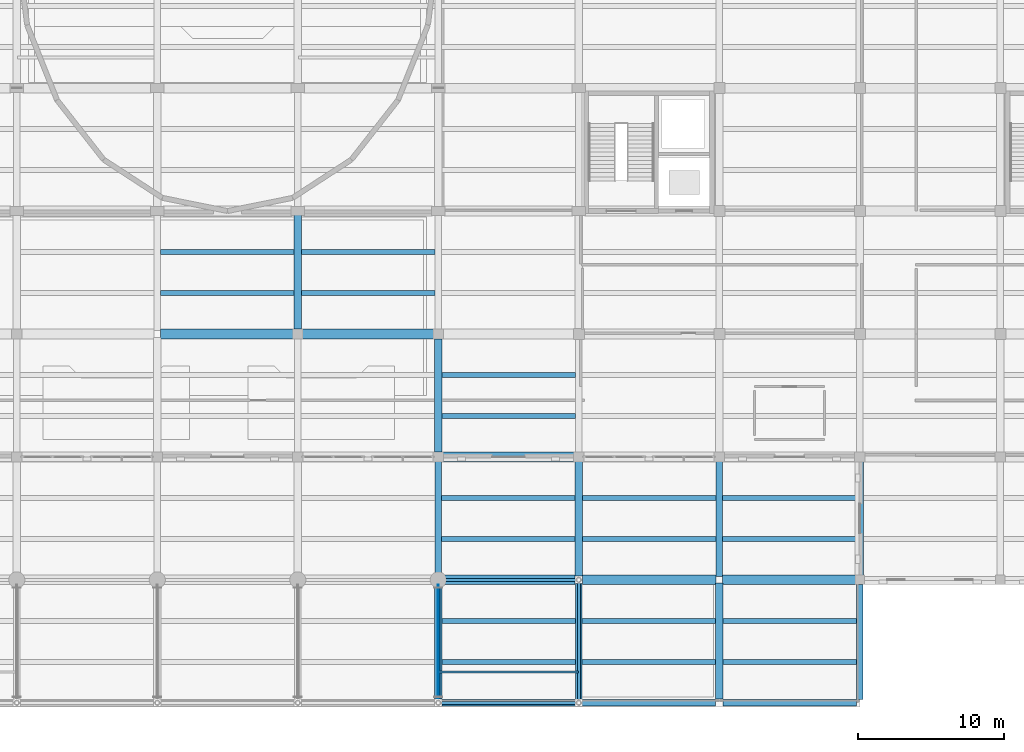
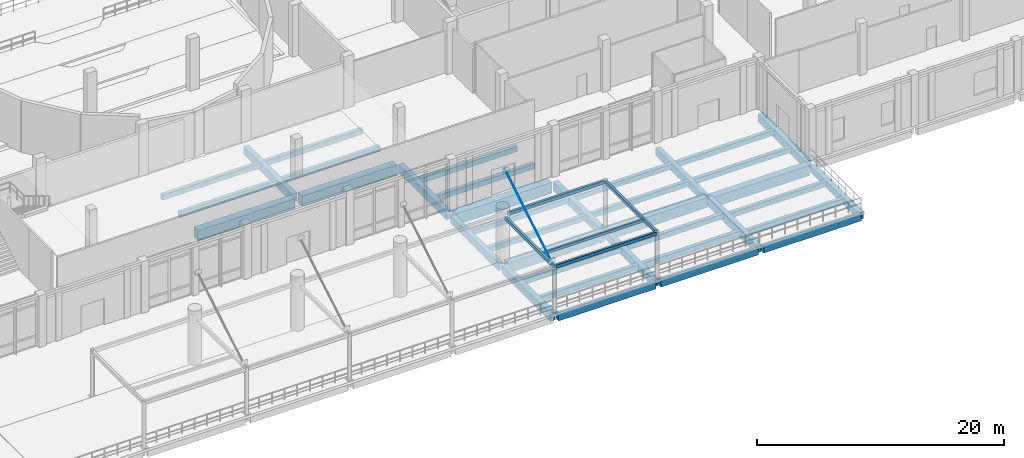
# One storey, part 25 of 71: 42 beams, 1 member.
"""IFC4 building model written with IfcOpenShell, lengths in metres."""

from ifc_helpers import new_model, si_unit, direction, frame, origin, origin_2d, place, context, subcontext, project, spatial, rectangle, hollow_rectangle, circle, extrude, material, material_profile, profile_set, type_object, element, save


model = new_model("IFC4")

# Units and contexts
model_context = context("Model", 3, precision=1e-05, world=origin(), true_north=direction((0.0, 1.0)))
body_context = subcontext(model_context, "Body", "Model", "MODEL_VIEW")
ifc_project = project(units=[si_unit("LENGTHUNIT", "METRE"), si_unit("AREAUNIT", "SQUARE_METRE"), si_unit("VOLUMEUNIT", "CUBIC_METRE"), si_unit("PLANEANGLEUNIT", "RADIAN"), si_unit("MASSUNIT", "GRAM", prefix="KILO")], contexts=[model_context])

# Site, building, storey
site_placement = place(None, origin())
site = spatial("IfcSite", under=ifc_project, at=site_placement, CompositionType="ELEMENT")
building_placement = place(site_placement, origin())
building = spatial("IfcBuilding", under=site, at=building_placement, Name="Lornevale Opera House", CompositionType="ELEMENT")
storey_placement = place(building_placement, origin())
storey = spatial("IfcBuildingStorey", under=building, at=storey_placement, Name="L01", CompositionType="ELEMENT", Elevation=0.0)

# Beams
ifc_material_1 = material(Name="Structural Steel CSA G40.21 Grade 350W (350 MPa)", Category="steel")
ifc_material_profile_1 = material_profile(ifc_material_1, hollow_rectangle(XDim=0.202880859375, YDim=0.304931640625, WallThickness=0.0126953125, at=origin_2d()), Name="HSS305x203x13")
ifc_profile_set_1 = profile_set([ifc_material_profile_1], Name="Structural Steel CSA G40.21 Grade 350W (350 MPa)")
beam_type_1 = type_object("IfcBeamType", Name="Canopy Edge Beam HSS305x203x13", PredefinedType="SPANDREL", material=ifc_profile_set_1)
beam_1_placement = place(storey_placement, frame((96.0, 0.10009765625, 4.43994140625), z_axis=(0.0, 1.0, 0.0), x_axis=(-1.0, 0.0, 0.0)))
element("IfcBeam", 1, at=beam_1_placement, inside=storey, type_object=beam_type_1, Name="Canopy Edge Beam HSS305x203x13 2951", PredefinedType="SPANDREL", context=body_context, shape_type="SweptSolid", body=[
    extrude(hollow_rectangle(XDim=0.202880859375, YDim=0.304931640625, WallThickness=0.0126953125, at=origin_2d()), origin(), (0.0, 0.0, 1.0), 7.849853515625),
])
beam_2_placement = place(storey_placement, frame((96.1201171875, 0.0, 4.43994140625), z_axis=(1.0, 0.0, 0.0), x_axis=(0.0, 1.0, 0.0)))
element("IfcBeam", 2, at=beam_2_placement, inside=storey, type_object=beam_type_1, Name="Canopy Edge Beam HSS305x203x13 2952", PredefinedType="SPANDREL", context=body_context, shape_type="SweptSolid", body=[
    extrude(hollow_rectangle(XDim=0.202880859375, YDim=0.304931640625, WallThickness=0.0126953125, at=origin_2d()), origin(), (0.0, 0.0, 1.0), 9.35986328125),
])
beam_3_placement = place(storey_placement, frame((96.449951171875, 8.39990234375, 4.43994140625), z_axis=(1.0, 0.0, 0.0), x_axis=(0.0, 1.0, 0.0)))
element("IfcBeam", 3, at=beam_3_placement, inside=storey, type_object=beam_type_1, Name="Canopy Edge Beam HSS305x203x13 2953", PredefinedType="SPANDREL", context=body_context, shape_type="SweptSolid", body=[
    extrude(hollow_rectangle(XDim=0.202880859375, YDim=0.304931640625, WallThickness=0.0126953125, at=origin_2d()), origin(), (0.0, 0.0, 1.0), 9.030029296875),
])
beam_4_placement = place(storey_placement, frame((105.60009765625, 0.10009765625, 4.43994140625), z_axis=(0.0, 1.0, 0.0), x_axis=(-1.0, 0.0, 0.0)))
element("IfcBeam", 4, at=beam_4_placement, inside=storey, type_object=beam_type_1, Name="Canopy Edge Beam HSS305x203x13 2954", PredefinedType="SPANDREL", context=body_context, shape_type="SweptSolid", body=[
    extrude(hollow_rectangle(XDim=0.202880859375, YDim=0.304931640625, WallThickness=0.0126953125, at=origin_2d()), origin(), (0.0, 0.0, 1.0), 8.199951171875),
])
ifc_material_profile_2 = material_profile(ifc_material_1, hollow_rectangle(XDim=0.152099609375, YDim=0.25390625, WallThickness=0.009521484375, at=origin_2d()), Name="HSS254x152x10")
ifc_profile_set_2 = profile_set([ifc_material_profile_2], Name="Structural Steel CSA G40.21 Grade 350W (350 MPa)")
beam_type_2 = type_object("IfcBeamType", Name="Canopy Purlin HSS254x152x10", PredefinedType="JOIST", material=ifc_profile_set_2)
beam_5_placement = place(storey_placement, frame((96.02001953125, 2.10009765625, 4.43994140625), z_axis=(1.0, 0.0, 0.0), x_axis=(0.0, 1.0, 0.0)))
element("IfcBeam", 5, at=beam_5_placement, inside=storey, type_object=beam_type_2, Name="Canopy Purlin HSS254x152x10 3030", PredefinedType="JOIST", context=body_context, shape_type="SweptSolid", body=[
    extrude(hollow_rectangle(XDim=0.152099609375, YDim=0.25390625, WallThickness=0.009521484375, at=origin_2d()), origin(), (0.0, 0.0, 1.0), 9.56005859375),
])

# Member
ifc_material_profile_3 = material_profile(ifc_material_1, circle(Radius=0.031982421875, at=origin_2d()), Name="ROD64")
ifc_profile_set_3 = profile_set([ifc_material_profile_3], Name="Structural Steel CSA G40.21 Grade 350W (350 MPa)")
member_type = type_object("IfcMemberType", Name="Canopy Stay Rod D64", PredefinedType="BRACE", material=ifc_profile_set_3)
member_placement = place(storey_placement, frame((96.0, 0.1201171875, 4.4599609375), z_axis=(0.0, 0.858349807797, 0.513064915439), x_axis=(-1.0, 0.0, 0.0)))
element("IfcMember", 6, at=member_placement, inside=storey, type_object=member_type, Name="Canopy Stay Rod D64 0004", PredefinedType="BRACE", context=body_context, shape_type="SweptSolid", body=[
    extrude(circle(Radius=0.031982421875, at=origin_2d()), origin(), (0.0, 0.0, 1.0), 9.238525390625),
])

# Beams
ifc_material_2 = material(Name="Concrete 35 MPa (CSA A23.1 N)", Category="concrete")
ifc_material_profile_4 = material_profile(ifc_material_2, rectangle(XDim=0.449951171875, YDim=0.75, at=origin_2d()), Name="RC450x750")
ifc_profile_set_4 = profile_set([ifc_material_profile_4], Name="Concrete 35 MPa (CSA A23.1 N)")
beam_type_3 = type_object("IfcBeamType", Name="Concrete Floor Beam 450x750", PredefinedType="USERDEFINED", material=ifc_profile_set_4)
beam_6_placement = place(storey_placement, frame((96.0, 8.72509765625, -0.81494140625), z_axis=(0.0, 1.0, 0.0), x_axis=(-1.0, 0.0, 0.0)))
element("IfcBeam", 7, at=beam_6_placement, inside=storey, type_object=beam_type_3, Name="Concrete Floor Beam 450x750 1200", ObjectType="GIRDER", PredefinedType="USERDEFINED", context=body_context, shape_type="SweptSolid", body=[
    extrude(rectangle(XDim=0.449951171875, YDim=0.75, at=origin_2d()), origin(), (0.0, 0.0, 1.0), 7.75),
])
beam_7_placement = place(storey_placement, frame((105.60009765625, 0.22509765625, -0.625), z_axis=(0.0, 1.0, 0.0), x_axis=(-1.0, 0.0, 0.0)))
element("IfcBeam", 8, at=beam_7_placement, inside=storey, type_object=beam_type_3, Name="Concrete Floor Beam 450x750 1213", ObjectType="GIRDER", PredefinedType="USERDEFINED", context=body_context, shape_type="SweptSolid", body=[
    extrude(rectangle(XDim=0.449951171875, YDim=0.75, at=origin_2d()), origin(), (0.0, 0.0, 1.0), 7.9248046875),
])
beam_8_placement = place(storey_placement, frame((115.199951171875, 8.625, -0.81494140625), z_axis=(0.0, 1.0, 0.0), x_axis=(-1.0, 0.0, 0.0)))
element("IfcBeam", 9, at=beam_8_placement, inside=storey, type_object=beam_type_3, Name="Concrete Floor Beam 450x750 1228", ObjectType="GIRDER", PredefinedType="USERDEFINED", context=body_context, shape_type="SweptSolid", body=[
    extrude(rectangle(XDim=0.449951171875, YDim=0.75, at=origin_2d()), origin(), (0.0, 0.0, 1.0), 7.85009765625),
])
ifc_material_profile_5 = material_profile(ifc_material_2, rectangle(XDim=0.5, YDim=0.800048828125, at=origin_2d()), Name="RC500x800")
ifc_profile_set_5 = profile_set([ifc_material_profile_5], Name="Concrete 35 MPa (CSA A23.1 N)")
beam_type_4 = type_object("IfcBeamType", Name="Concrete Floor Beam 500x800", PredefinedType="USERDEFINED", material=ifc_profile_set_5)
beam_9_placement = place(storey_placement, frame((86.39990234375, 25.52490234375, -0.840087890625), z_axis=(0.0, 1.0, 0.0), x_axis=(-1.0, 0.0, 0.0)))
element("IfcBeam", 10, at=beam_9_placement, inside=storey, type_object=beam_type_4, Name="Concrete Floor Beam 500x800 1189", ObjectType="GIRDER", PredefinedType="USERDEFINED", context=body_context, shape_type="SweptSolid", body=[
    extrude(rectangle(XDim=0.5, YDim=0.800048828125, at=origin_2d()), origin(), (0.0, 0.0, 1.0), 7.8251953125),
])
beam_10_placement = place(storey_placement, frame((96.0, 0.25, -0.64990234375), z_axis=(0.0, 1.0, 0.0), x_axis=(-1.0, 0.0, 0.0)))
element("IfcBeam", 11, at=beam_10_placement, inside=storey, type_object=beam_type_4, Name="Concrete Floor Beam 500x800 1199", ObjectType="GIRDER", PredefinedType="USERDEFINED", context=body_context, shape_type="SweptSolid", body=[
    extrude(rectangle(XDim=0.5, YDim=0.800048828125, at=origin_2d()), origin(), (0.0, 0.0, 1.0), 7.824951171875),
])
beam_11_placement = place(storey_placement, frame((96.0, 17.125, -0.840087890625), z_axis=(0.0, 1.0, 0.0), x_axis=(-1.0, 0.0, 0.0)))
element("IfcBeam", 12, at=beam_11_placement, inside=storey, type_object=beam_type_4, Name="Concrete Floor Beam 500x800 1201", ObjectType="GIRDER", PredefinedType="USERDEFINED", context=body_context, shape_type="SweptSolid", body=[
    extrude(rectangle(XDim=0.5, YDim=0.800048828125, at=origin_2d()), origin(), (0.0, 0.0, 1.0), 7.75),
])
beam_12_placement = place(storey_placement, frame((105.60009765625, 8.64990234375, -0.840087890625), z_axis=(0.0, 1.0, 0.0), x_axis=(-1.0, 0.0, 0.0)))
element("IfcBeam", 13, at=beam_12_placement, inside=storey, type_object=beam_type_4, Name="Concrete Floor Beam 500x800 1214", ObjectType="GIRDER", PredefinedType="USERDEFINED", context=body_context, shape_type="SweptSolid", body=[
    extrude(rectangle(XDim=0.5, YDim=0.800048828125, at=origin_2d()), origin(), (0.0, 0.0, 1.0), 7.8251953125),
])
beam_13_placement = place(storey_placement, frame((115.199951171875, 0.25, -0.64990234375), z_axis=(0.0, 1.0, 0.0), x_axis=(-1.0, 0.0, 0.0)))
element("IfcBeam", 14, at=beam_13_placement, inside=storey, type_object=beam_type_4, Name="Concrete Floor Beam 500x800 1227", ObjectType="GIRDER", PredefinedType="USERDEFINED", context=body_context, shape_type="SweptSolid", body=[
    extrude(rectangle(XDim=0.5, YDim=0.800048828125, at=origin_2d()), origin(), (0.0, 0.0, 1.0), 7.925048828125),
])
beam_14_placement = place(storey_placement, frame((124.800048828125, 8.699951171875, -0.840087890625), z_axis=(0.0, 1.0, 0.0), x_axis=(-1.0, 0.0, 0.0)))
element("IfcBeam", 15, at=beam_14_placement, inside=storey, type_object=beam_type_4, Name="Concrete Floor Beam 500x800 1242", ObjectType="GIRDER", PredefinedType="USERDEFINED", context=body_context, shape_type="SweptSolid", body=[
    extrude(rectangle(XDim=0.5, YDim=0.800048828125, at=origin_2d()), origin(), (0.0, 0.0, 1.0), 7.775146484375),
])
ifc_material_3 = material(Name="Concrete 40 MPa (CSA A23.1 C-1)", Category="concrete")
ifc_material_profile_6 = material_profile(ifc_material_3, rectangle(XDim=0.64990234375, YDim=1.0, at=origin_2d()), Name="RC650x1000")
ifc_profile_set_6 = profile_set([ifc_material_profile_6], Name="Concrete 40 MPa (CSA A23.1 C-1)")
beam_type_5 = type_object("IfcBeamType", Name="Concrete Primary Girder 650x1000", PredefinedType="USERDEFINED", material=ifc_profile_set_6)
beam_15_placement = place(storey_placement, frame((96.324951171875, 8.39990234375, -0.75), z_axis=(1.0, 0.0, 0.0), x_axis=(0.0, 1.0, 0.0)))
element("IfcBeam", 16, at=beam_15_placement, inside=storey, type_object=beam_type_5, Name="Concrete Primary Girder 650x1000 0866", ObjectType="GIRDER", PredefinedType="USERDEFINED", context=body_context, shape_type="SweptSolid", body=[
    extrude(rectangle(XDim=0.64990234375, YDim=1.0, at=origin_2d()), origin(), (0.0, 0.0, 1.0), 9.025146484375),
])
beam_16_placement = place(storey_placement, frame((105.85009765625, 8.39990234375, -0.75), z_axis=(1.0, 0.0, 0.0), x_axis=(0.0, 1.0, 0.0)))
element("IfcBeam", 17, at=beam_16_placement, inside=storey, type_object=beam_type_5, Name="Concrete Primary Girder 650x1000 0867", ObjectType="GIRDER", PredefinedType="USERDEFINED", context=body_context, shape_type="SweptSolid", body=[
    extrude(rectangle(XDim=0.64990234375, YDim=1.0, at=origin_2d()), origin(), (0.0, 0.0, 1.0), 9.125),
])
beam_17_placement = place(storey_placement, frame((115.425048828125, 8.39990234375, -0.93994140625), z_axis=(1.0, 0.0, 0.0), x_axis=(0.0, 1.0, 0.0)))
element("IfcBeam", 18, at=beam_17_placement, inside=storey, type_object=beam_type_5, Name="Concrete Primary Girder 650x1000 0868", ObjectType="GIRDER", PredefinedType="USERDEFINED", context=body_context, shape_type="SweptSolid", body=[
    extrude(rectangle(XDim=0.64990234375, YDim=1.0, at=origin_2d()), origin(), (0.0, 0.0, 1.0), 9.074951171875),
])
beam_18_placement = place(storey_placement, frame((77.02490234375, 25.199951171875, -0.93994140625), z_axis=(1.0, 0.0, 0.0), x_axis=(0.0, 1.0, 0.0)))
element("IfcBeam", 19, at=beam_18_placement, inside=storey, type_object=beam_type_5, Name="Concrete Primary Girder 650x1000 0897", ObjectType="GIRDER", PredefinedType="USERDEFINED", context=body_context, shape_type="SweptSolid", body=[
    extrude(rectangle(XDim=0.64990234375, YDim=1.0, at=origin_2d()), origin(), (0.0, 0.0, 1.0), 9.050048828125),
])
beam_19_placement = place(storey_placement, frame((86.72509765625, 25.199951171875, -0.93994140625), z_axis=(1.0, 0.0, 0.0), x_axis=(0.0, 1.0, 0.0)))
element("IfcBeam", 20, at=beam_19_placement, inside=storey, type_object=beam_type_5, Name="Concrete Primary Girder 650x1000 0898", ObjectType="GIRDER", PredefinedType="USERDEFINED", context=body_context, shape_type="SweptSolid", body=[
    extrude(rectangle(XDim=0.64990234375, YDim=1.0, at=origin_2d()), origin(), (0.0, 0.0, 1.0), 8.949951171875),
])
ifc_material_profile_7 = material_profile(ifc_material_3, rectangle(XDim=0.699951171875, YDim=1.10009765625, at=origin_2d()), Name="RC700x1100")
ifc_profile_set_7 = profile_set([ifc_material_profile_7], Name="Concrete 40 MPa (CSA A23.1 C-1)")
beam_type_6 = type_object("IfcBeamType", Name="Concrete Primary Girder 700x1100", PredefinedType="USERDEFINED", material=ifc_profile_set_7)
beam_20_placement = place(storey_placement, frame((96.324951171875, 16.800048828125, -0.989990234375), z_axis=(1.0, 0.0, 0.0), x_axis=(0.0, 1.0, 0.0)))
element("IfcBeam", 21, at=beam_20_placement, inside=storey, type_object=beam_type_6, Name="Concrete Primary Girder 700x1100 0882", ObjectType="GIRDER", PredefinedType="USERDEFINED", context=body_context, shape_type="SweptSolid", body=[
    extrude(rectangle(XDim=0.699951171875, YDim=1.10009765625, at=origin_2d()), origin(), (0.0, 0.0, 1.0), 8.949951171875),
])
ifc_material_profile_8 = material_profile(ifc_material_2, rectangle(XDim=0.35009765625, YDim=0.5, at=origin_2d()), Name="RC350x500")
ifc_profile_set_8 = profile_set([ifc_material_profile_8], Name="Concrete 35 MPa (CSA A23.1 N)")
beam_type_7 = type_object("IfcBeamType", Name="Concrete Secondary Rib 350x500", PredefinedType="JOIST", material=ifc_profile_set_8)
for number, where, z_axis, x_axis, name in (
    (22, (77.02490234375, 28.0, -0.68994140625), (1.0, 0.0, 0.0), (0.0, 1.0, 0.0), "Concrete Secondary Rib 350x500 1493"),
    (23, (77.02490234375, 30.800048828125, -0.68994140625), (1.0, 0.0, 0.0), (0.0, 1.0, 0.0), "Concrete Secondary Rib 350x500 1494"),
    (24, (86.64990234375, 28.0, -0.68994140625), (1.0, 0.0, 0.0), (0.0, 1.0, 0.0), "Concrete Secondary Rib 350x500 1519"),
    (25, (86.64990234375, 30.800048828125, -0.68994140625), (1.0, 0.0, 0.0), (0.0, 1.0, 0.0), "Concrete Secondary Rib 350x500 1520"),
    (26, (96.25, 2.800048828125, -0.5), (1.0, 0.0, 0.0), (0.0, 1.0, 0.0), "Concrete Secondary Rib 350x500 1539"),
    (27, (96.25, 5.60009765625, -0.5), (1.0, 0.0, 0.0), (0.0, 1.0, 0.0), "Concrete Secondary Rib 350x500 1540"),
    (28, (96.22509765625, 11.199951171875, -0.68994140625), (1.0, 0.0, 0.0), (0.0, 1.0, 0.0), "Concrete Secondary Rib 350x500 1541"),
    (29, (96.22509765625, 14.0, -0.68994140625), (1.0, 0.0, 0.0), (0.0, 1.0, 0.0), "Concrete Secondary Rib 350x500 1542"),
    (30, (96.25, 19.60009765625, -0.68994140625), (1.0, 0.0, 0.0), (0.0, 1.0, 0.0), "Concrete Secondary Rib 350x500 1543"),
    (31, (96.25, 22.39990234375, -0.68994140625), (1.0, 0.0, 0.0), (0.0, 1.0, 0.0), "Concrete Secondary Rib 350x500 1544"),
    (32, (105.824951171875, 2.800048828125, -0.5), (1.0, 0.0, 0.0), (0.0, 1.0, 0.0), "Concrete Secondary Rib 350x500 1565"),
    (33, (105.824951171875, 5.60009765625, -0.5), (1.0, 0.0, 0.0), (0.0, 1.0, 0.0), "Concrete Secondary Rib 350x500 1566"),
    (34, (105.85009765625, 11.199951171875, -0.68994140625), (1.0, 0.0, 0.0), (0.0, 1.0, 0.0), "Concrete Secondary Rib 350x500 1567"),
    (35, (105.85009765625, 14.0, -0.68994140625), (1.0, 0.0, 0.0), (0.0, 1.0, 0.0), "Concrete Secondary Rib 350x500 1568"),
    (36, (115.449951171875, 2.800048828125, -0.68994140625), (1.0, 0.0, 0.0), (0.0, 1.0, 0.0), "Concrete Secondary Rib 350x500 1591"),
    (37, (115.449951171875, 5.60009765625, -0.68994140625), (1.0, 0.0, 0.0), (0.0, 1.0, 0.0), "Concrete Secondary Rib 350x500 1592"),
    (38, (115.425048828125, 11.199951171875, -0.68994140625), (1.0, 0.0, 0.0), (0.0, 1.0, 0.0), "Concrete Secondary Rib 350x500 1593"),
    (39, (115.425048828125, 14.0, -0.68994140625), (1.0, 0.0, 0.0), (0.0, 1.0, 0.0), "Concrete Secondary Rib 350x500 1594"),
):
    element("IfcBeam", number, at=place(storey_placement, frame(where, z_axis=z_axis, x_axis=x_axis)), inside=storey, type_object=beam_type_7, Name=name, PredefinedType="JOIST", context=body_context, shape_type="SweptSolid", body=[
        extrude(rectangle(XDim=0.35009765625, YDim=0.5, at=origin_2d()), origin(), (0.0, 0.0, 1.0), 9.125),
    ])
ifc_material_profile_9 = material_profile(ifc_material_2, rectangle(XDim=0.449951171875, YDim=0.64990234375, at=origin_2d()), Name="RC450x650")
ifc_profile_set_9 = profile_set([ifc_material_profile_9], Name="Concrete 35 MPa (CSA A23.1 N)")
beam_type_8 = type_object("IfcBeamType", Name="Concrete Spandrel Beam 450x650", PredefinedType="SPANDREL", material=ifc_profile_set_9)
for number, where, z_axis, x_axis, name in (
    (40, (96.25, 0.0, -0.574951171875), (1.0, 0.0, 0.0), (0.0, 1.0, 0.0), "Concrete Spandrel Beam 450x650 0853"),
    (41, (105.824951171875, 0.0, -0.574951171875), (1.0, 0.0, 0.0), (0.0, 1.0, 0.0), "Concrete Spandrel Beam 450x650 0854"),
    (42, (115.449951171875, 0.0, -0.574951171875), (1.0, 0.0, 0.0), (0.0, 1.0, 0.0), "Concrete Spandrel Beam 450x650 0855"),
):
    element("IfcBeam", number, at=place(storey_placement, frame(where, z_axis=z_axis, x_axis=x_axis)), inside=storey, type_object=beam_type_8, Name=name, PredefinedType="SPANDREL", context=body_context, shape_type="SweptSolid", body=[
        extrude(rectangle(XDim=0.449951171875, YDim=0.64990234375, at=origin_2d()), origin(), (0.0, 0.0, 1.0), 9.125),
    ])
beam_21_placement = place(storey_placement, frame((124.800048828125, 0.22509765625, -0.764892578125), z_axis=(0.0, 1.0, 0.0), x_axis=(-1.0, 0.0, 0.0)))
element("IfcBeam", 43, at=beam_21_placement, inside=storey, type_object=beam_type_8, Name="Concrete Spandrel Beam 450x650 1241", PredefinedType="SPANDREL", context=body_context, shape_type="SweptSolid", body=[
    extrude(rectangle(XDim=0.449951171875, YDim=0.64990234375, at=origin_2d()), origin(), (0.0, 0.0, 1.0), 7.875),
])

save(model, "model.ifc")
